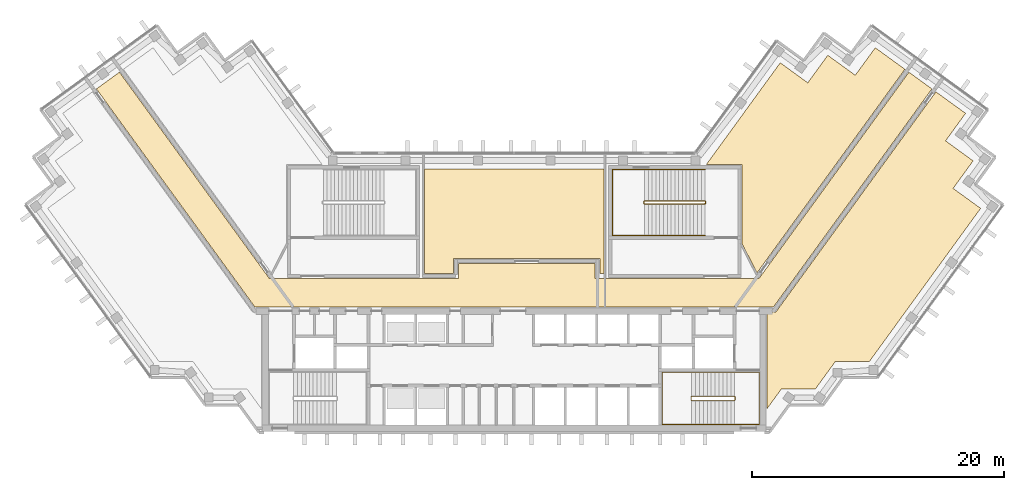
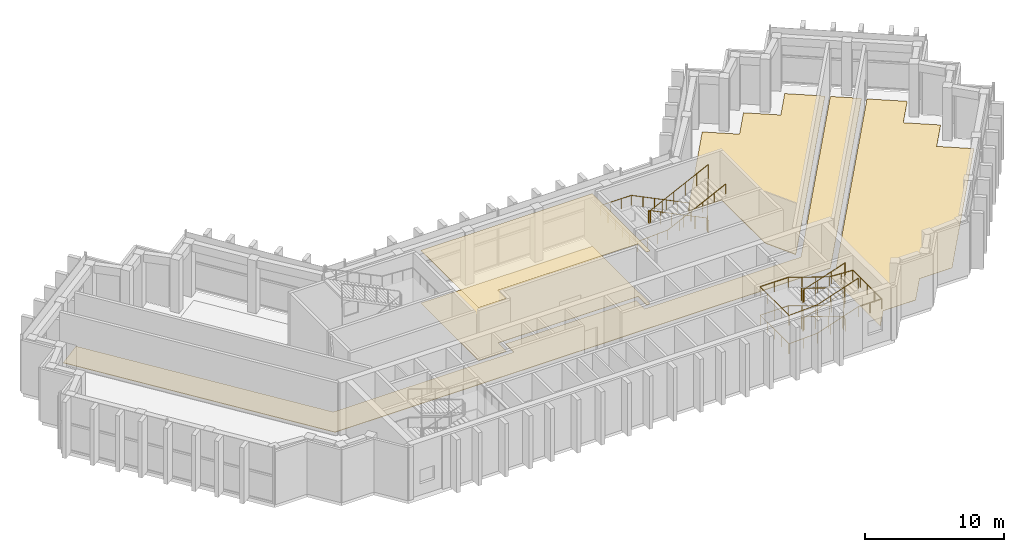
# One storey, part 13 of 14: 5 coverings, 4 railings.
"""IFC4 building model written with IfcOpenShell, lengths in metres."""

import ifcopenshell
import ifcopenshell.guid

model = None  # the IFC model being written
_history = None  # IfcOwnerHistory: only IFC2X3 demands one
_inside = {}  # id of a spatial element -> (the spatial element, [elements in it])
_under = {}  # id of a project, library or spatial element -> (it, [spatial elements below it])
_declared = {}  # id of a project -> (the project, [libraries it declares])
_typed = {}  # id of a type object -> (the type object, [elements of that type])
_made_of = {}  # id of a material, layer set ... -> (it, [elements and type objects made of it])


def new_model(schema):
    """Start an empty IFC model of exactly this schema.

    Asked for "IFC4X3", IfcOpenShell would pick the latest addendum, in which some entities
    have other attributes; the version numbers below select the first issue.
    IFC2X3 requires an IfcOwnerHistory on every rooted entity: one is made here for all.
    """
    global model, _history
    if schema == "IFC4X3":
        model = ifcopenshell.file(schema_version=(4, 3, 0, 0))
    else:
        model = ifcopenshell.file(schema=schema)
    _inside.clear()
    _under.clear()
    _declared.clear()
    _typed.clear()
    _made_of.clear()
    _history = None
    if model.schema == "IFC2X3":
        org = make("IfcOrganization", Name="unknown")
        user = make(
            "IfcPersonAndOrganization",
            ThePerson=make("IfcPerson", FamilyName="unknown"),
            TheOrganization=org,
        )
        app = make(
            "IfcApplication",
            ApplicationDeveloper=org,
            Version="unknown",
            ApplicationFullName="unknown",
            ApplicationIdentifier="unknown",
        )
        _history = make(
            "IfcOwnerHistory",
            OwningUser=user,
            OwningApplication=app,
            ChangeAction="ADDED",
            CreationDate=0,
        )
    return model


def make(cls, **values):
    """One entity of the class cls with the attributes given. An attribute that is None is left unset."""
    return model.create_entity(
        cls, **{name: value for name, value in values.items() if value is not None}
    )


def rooted(cls, **values):
    """An entity with a GlobalId (a new one), such as an element, a storey or a relation."""
    return make(cls, GlobalId=ifcopenshell.guid.new(), OwnerHistory=_history, **values)


def si_unit(unit_type, name, prefix=None):
    """IfcSIUnit, for example si_unit("LENGTHUNIT", "METRE", prefix="MILLI")."""
    return make("IfcSIUnit", UnitType=unit_type, Prefix=prefix, Name=name)


def assignment(units):
    """IfcUnitAssignment: the units of a project."""
    return None if units is None else make("IfcUnitAssignment", Units=units)


def point(xyz):
    """IfcCartesianPoint."""
    return None if xyz is None else make("IfcCartesianPoint", Coordinates=xyz)


def direction(xyz):
    """IfcDirection."""
    return None if xyz is None else make("IfcDirection", DirectionRatios=xyz)


def frame(location, z_axis=None, x_axis=None):
    """IfcAxis2Placement3D, a coordinate frame: its origin and axes. An axis left out is left unset."""
    return make(
        "IfcAxis2Placement3D",
        Location=point(location),
        Axis=direction(z_axis),
        RefDirection=direction(x_axis),
    )


def frame_2d(location, x_axis=None):
    """IfcAxis2Placement2D, a coordinate frame in the plane: its origin and x axis."""
    return make(
        "IfcAxis2Placement2D", Location=point(location), RefDirection=direction(x_axis)
    )


def origin():
    """The frame at (0, 0, 0) with its axes left unset."""
    return frame((0.0, 0.0, 0.0))


def origin_2d():
    """The frame at (0, 0) in the plane with its x axis left unset."""
    return frame_2d((0.0, 0.0))


def place(relative_to, where):
    """IfcLocalPlacement: puts the frame where relative to a parent placement (None: the world)."""
    return make(
        "IfcLocalPlacement", PlacementRelTo=relative_to, RelativePlacement=where
    )


def context(
    kind, dimensions, precision=None, world=None, true_north=None, identifier=None
):
    """IfcGeometricRepresentationContext, for example the 3D "Model" context."""
    return make(
        "IfcGeometricRepresentationContext",
        ContextIdentifier=identifier,
        ContextType=kind,
        CoordinateSpaceDimension=dimensions,
        Precision=precision,
        WorldCoordinateSystem=world,
        TrueNorth=true_north,
    )


def subcontext(parent, identifier, kind, view, scale=None):
    """IfcGeometricRepresentationSubContext, for example "Body" below "Model"."""
    return make(
        "IfcGeometricRepresentationSubContext",
        ContextIdentifier=identifier,
        ContextType=kind,
        ParentContext=parent,
        TargetScale=scale,
        TargetView=view,
    )


def project(units=None, contexts=None):
    """IfcProject with its units and contexts."""
    return rooted(
        "IfcProject",
        Name="project",
        RepresentationContexts=contexts,
        UnitsInContext=assignment(units),
    )


def spatial(cls, under=None, at=None, **own):
    """A site, building, storey or space (cls), placed at a placement, below another one or the project."""
    s = rooted(cls, ObjectPlacement=at, **own)
    if under is not None:
        _under.setdefault(under.id(), (under, []))[1].append(s)
    return s


def polyline(points):
    """IfcPolyline through the points."""
    return make("IfcPolyline", Points=[point(p) for p in points])


def profile(cls, at=None, kind="AREA", **sizes):
    """A parametric profile (cls). Its sizes go by their IFC names, for example OverallWidth=200.0."""
    return make(cls, ProfileType=kind, Position=at, **sizes)


def circle(**sizes):
    """IfcCircleProfileDef."""
    return profile("IfcCircleProfileDef", **sizes)


def outline(outer, holes=None, kind="AREA"):
    """IfcArbitraryClosedProfileDef: a profile drawn as a closed curve; with holes, ...WithVoids."""
    if holes is None:
        return make("IfcArbitraryClosedProfileDef", ProfileType=kind, OuterCurve=outer)
    return make(
        "IfcArbitraryProfileDefWithVoids",
        ProfileType=kind,
        OuterCurve=outer,
        InnerCurves=holes,
    )


def extrude(swept, where, along, depth):
    """IfcExtrudedAreaSolid: the profile swept, set in the frame where, extruded along a direction by depth."""
    return make(
        "IfcExtrudedAreaSolid",
        SweptArea=swept,
        Position=where,
        ExtrudedDirection=direction(along),
        Depth=depth,
    )


def shape(context_of_items, identifier, shape_type, items):
    """IfcShapeRepresentation: the items that make up one representation, for example the "Body"."""
    return make(
        "IfcShapeRepresentation",
        ContextOfItems=context_of_items,
        RepresentationIdentifier=identifier,
        RepresentationType=shape_type,
        Items=items,
    )


def material(Name=None, Category=None):
    """IfcMaterial."""
    return make("IfcMaterial", Name=Name, Category=Category)


def layer(
    of_material, thickness, ventilated=None, Name=None, Category=None, Priority=None
):
    """IfcMaterialLayer: one layer of a wall or slab, of a material (None: an air gap)."""
    return make(
        "IfcMaterialLayer",
        Material=of_material,
        LayerThickness=thickness,
        IsVentilated=ventilated,
        Name=Name,
        Category=Category,
        Priority=Priority,
    )


def layer_set(layers, Name=None):
    """IfcMaterialLayerSet."""
    return make("IfcMaterialLayerSet", MaterialLayers=layers, LayerSetName=Name)


def made_of(thing, what):
    """Note that an element or type object is made of a material, layer set ...; save() writes the relation."""
    if what is not None:
        _made_of.setdefault(what.id(), (what, []))[1].append(thing)
    return thing


def type_object(cls, material=None, **own):
    """A type object (cls), such as IfcWallType, which elements share."""
    return made_of(rooted(cls, **own), material)


def element(
    cls,
    number,
    at=None,
    inside=None,
    cuts=None,
    type_object=None,
    material=None,
    context=None,
    identifier="Body",
    shape_type=None,
    held_by="IfcProductDefinitionShape",
    body=None,
    shapes=None,
    **own,
):
    """One element of the class cls, such as IfcWall. Its Tag is "e" and its number.

    at: its placement. inside: the storey or other place that contains it. cuts: it is an
    opening in that element (IfcRelVoidsElement). A single representation is given by context,
    identifier, shape_type and body (its items); several are given by shapes. held_by: the class
    of the entity that holds the representations. save() writes the other relations.
    """
    e = rooted(cls, Tag="e%d" % number, ObjectPlacement=at, **own)
    if body is not None:
        shapes = [shape(context, identifier, shape_type, body)]
    if shapes is not None:
        e.Representation = make(held_by, Representations=shapes)
    if inside is not None:
        _inside.setdefault(inside.id(), (inside, []))[1].append(e)
    if cuts is not None:
        rooted(
            "IfcRelVoidsElement", RelatingBuildingElement=cuts, RelatedOpeningElement=e
        )
    if type_object is not None:
        _typed.setdefault(type_object.id(), (type_object, []))[1].append(e)
    return made_of(e, material)


def aggregate(whole, parts):
    """IfcRelAggregates: a whole, such as a stair, and the parts it consists of."""
    return rooted("IfcRelAggregates", RelatingObject=whole, RelatedObjects=parts)


def save(model, path):
    """Write the relations noted so far, then the file.

    IfcRelAggregates (storeys below a building ...), IfcRelContainedInSpatialStructure (elements
    in a storey), IfcRelDefinesByType, IfcRelAssociatesMaterial and IfcRelDeclares: one each for
    every whole, place, type object, material and project.
    """
    for whole, parts in _under.values():
        aggregate(whole, parts)
    for where, things in _inside.values():
        rooted(
            "IfcRelContainedInSpatialStructure",
            RelatedElements=things,
            RelatingStructure=where,
        )
    for kind, things in _typed.values():
        rooted("IfcRelDefinesByType", RelatedObjects=things, RelatingType=kind)
    for what, things in _made_of.values():
        rooted("IfcRelAssociatesMaterial", RelatedObjects=things, RelatingMaterial=what)
    for by, libraries in _declared.values():
        rooted("IfcRelDeclares", RelatingContext=by, RelatedDefinitions=libraries)
    model.write(path)


model = new_model("IFC4")

# Units and contexts
model_context = context("Model", 3, precision=1e-05, world=origin(), true_north=direction((0.0, 1.0)))
body_context = subcontext(model_context, "Body", "Model", "MODEL_VIEW")
ifc_project = project(units=[si_unit("LENGTHUNIT", "METRE"), si_unit("AREAUNIT", "SQUARE_METRE"), si_unit("VOLUMEUNIT", "CUBIC_METRE"), si_unit("PLANEANGLEUNIT", "RADIAN"), si_unit("MASSUNIT", "GRAM", prefix="KILO")], contexts=[model_context])

# Site, building, storey
site_placement = place(None, origin())
site = spatial("IfcSite", under=ifc_project, at=site_placement, CompositionType="ELEMENT")
building_placement = place(site_placement, origin())
building = spatial("IfcBuilding", under=site, at=building_placement, Name="Quipu Civic Tower", CompositionType="ELEMENT")
storey_placement = place(building_placement, frame((0.0, 0.0, 248.0)))
storey = spatial("IfcBuildingStorey", under=building, at=storey_placement, Name="L58", CompositionType="ELEMENT", Elevation=248.0)

# Coverings
ifc_material_1 = material(Name="Carpet tile on raised access floor")
ifc_layer_1 = layer(ifc_material_1, 0.02001953125)
ifc_layer_set_1 = layer_set([ifc_layer_1], Name="Carpet tile on raised access floor")
covering_type_1 = type_object("IfcCoveringType", Name="Carpet tile floor finish 20", PredefinedType="FLOORING", material=ifc_layer_set_1)
covering_1_placement = place(storey_placement, origin())
element("IfcCovering", 1, at=covering_1_placement, inside=storey, type_object=covering_type_1, Name="Carpet tile floor finish 20", PredefinedType="FLOORING", context=body_context, shape_type="SweptSolid", body=[
    extrude(outline(polyline([(20.070068359375, -9.195068359375), (20.070068359375, -1.52001953125), (20.77490234375, -1.51904296875), (33.472900390625, 15.9580078125), (35.826904296875, 14.248046875), (34.240966796875, 12.06396484375), (36.425048828125, 10.47607421875), (34.839111328125, 8.291015625), (37.02197265625, 6.7060546875), (28.181884765625, -5.4609375), (25.48193359375, -5.4619140625), (23.89501953125, -7.64599609375), (21.196044921875, -7.64599609375), (20.070068359375, -9.195068359375)])), origin(), (0.0, 0.0, 1.0), 0.02001953125),
])
covering_2_placement = place(storey_placement, origin())
element("IfcCovering", 2, at=covering_2_placement, inside=storey, type_object=covering_type_1, Name="Carpet tile floor finish 20", PredefinedType="FLOORING", context=body_context, shape_type="SweptSolid", body=[
    extrude(outline(polyline([(-7.1279296875, 1.52001953125), (-7.1279296875, 9.830078125), (7.1279296875, 9.830078125), (7.1279296875, 1.52001953125), (6.820068359375, 1.52001953125), (6.818115234375, 2.719970703125), (-4.818115234375, 2.719970703125), (-4.820068359375, 1.52001953125), (-7.1279296875, 1.52001953125)])), origin(), (0.0, 0.0, 1.0), 0.02001953125),
])
ifc_material_2 = material(Name="Gypsum plasterboard ceiling")
ifc_layer_2 = layer(ifc_material_2, 0.014892578125)
ifc_layer_set_2 = layer_set([ifc_layer_2], Name="Gypsum plasterboard ceiling")
covering_type_2 = type_object("IfcCoveringType", Name="Plasterboard ceiling 15", PredefinedType="CEILING", material=ifc_layer_set_2)
covering_3_placement = place(storey_placement, frame((0.0, 0.0, 4.635009765625)))
element("IfcCovering", 3, at=covering_3_placement, inside=storey, type_object=covering_type_2, Name="Plasterboard ceiling 15", PredefinedType="CEILING", context=body_context, shape_type="SweptSolid", body=[
    extrude(outline(polyline([(-7.1279296875, 1.52001953125), (-7.1279296875, 9.830078125), (7.1279296875, 9.830078125), (7.1279296875, 1.52001953125), (6.820068359375, 1.52001953125), (6.818115234375, 2.719970703125), (-4.818115234375, 2.719970703125), (-4.820068359375, 1.52001953125), (-7.1279296875, 1.52001953125)])), origin(), (0.0, 0.0, 1.0), 0.014892578125),
])
ifc_material_3 = material(Name="Sealed cement screed")
ifc_layer_3 = layer(ifc_material_3, 0.050048828125)
ifc_layer_set_3 = layer_set([ifc_layer_3], Name="Sealed cement screed")
covering_type_3 = type_object("IfcCoveringType", Name="Sealed screed floor finish 50", PredefinedType="FLOORING", material=ifc_layer_set_3)
covering_4_placement = place(storey_placement, origin())
element("IfcCovering", 4, at=covering_4_placement, inside=storey, type_object=covering_type_3, Name="Sealed screed floor finish 50", PredefinedType="FLOORING", context=body_context, shape_type="SweptSolid", body=[
    extrude(outline(polyline([(15.238037109375, 10.169921875), (21.116943359375, 18.260986328125), (23.301025390625, 16.675048828125), (24.887939453125, 18.85791015625), (27.073974609375, 17.27197265625), (28.658935546875, 19.455078125), (31.013916015625, 17.7451171875), (19.27197265625, 1.583984375), (18.070068359375, 3.94189453125), (18.070068359375, 10.1689453125), (15.238037109375, 10.169921875)])), origin(), (0.0, 0.0, 1.0), 0.050048828125),
])

# Railings
ifc_material_4 = material(Name="Stainless steel", Category="steel")
railing_type_1 = type_object("IfcRailingType", Name="Stair guard 1100", PredefinedType="GUARDRAIL", material=ifc_material_4)
railing_1_placement = place(storey_placement, frame((17.5, -8.199951171875, 0.104248046875)))
element("IfcRailing", 5, at=railing_1_placement, inside=storey, type_object=railing_type_1, Name="Stair 2 guard", PredefinedType="GUARDRAIL", context=body_context, shape_type="SweptSolid", body=[
    extrude(circle(Radius=0.02392578125, at=origin_2d()), frame((0.0, 0.0, 1.076171875), z_axis=(-0.947920429252, 0.0, 0.318507236663), x_axis=(0.0, -1.0, 0.0)), (0.0, 0.0, 1.0), 3.59716796875),
    extrude(circle(Radius=0.02392578125, at=origin_2d()), frame((-3.409912109375, 0.0, 2.2216796875), z_axis=(-0.707106781187, -0.707106781187, 0.0), x_axis=(0.707106781187, -0.707106781187, 0.0)), (0.0, 0.0, 1.0), 0.07080078125),
    extrude(circle(Radius=0.02392578125, at=origin_2d()), frame((-3.4599609375, -0.050048828125, 2.2216796875), z_axis=(0.0, -1.0, 0.0), x_axis=(1.0, 0.0, 0.0)), (0.0, 0.0, 1.0), 0.25),
    extrude(circle(Radius=0.02392578125, at=origin_2d()), frame((-3.4599609375, -0.300048828125, 2.2216796875), z_axis=(0.397195087895, -0.397195087895, 0.82732830503), x_axis=(0.707106781187, 0.707106781187, 0.0)), (0.0, 0.0, 1.0), 0.1259765625),
    extrude(circle(Radius=0.02392578125, at=origin_2d()), frame((-3.409912109375, -0.35009765625, 2.326171875), z_axis=(0.947920429252, 0.0, 0.318507236663), x_axis=(0.0, 1.0, 0.0)), (0.0, 0.0, 1.0), 3.59716796875),
    extrude(circle(Radius=0.02392578125, at=origin_2d()), frame((0.0, -0.35009765625, 3.4716796875), z_axis=(0.164529134168, 0.986372223864, 0.0), x_axis=(-0.986372223864, 0.164529134168, 0.0)), (0.0, 0.0, 1.0), 0.30419921875),
    extrude(circle(Radius=0.02392578125, at=origin_2d()), frame((0.050048828125, -0.050048828125, 3.4716796875), z_axis=(0.0, -1.0, 0.0), x_axis=(1.0, 0.0, 0.0)), (0.0, 0.0, 1.0), 0.25),
    extrude(circle(Radius=0.02392578125, at=origin_2d()), frame((0.050048828125, -0.300048828125, 3.4716796875), z_axis=(-0.155643067013, 0.933099167607, 0.324193120072), x_axis=(-0.986372223864, -0.164529134168, 0.0)), (0.0, 0.0, 1.0), 0.321533203125),
    extrude(circle(Radius=0.02392578125, at=origin_2d()), frame((0.0, 0.0, 3.576171875), z_axis=(-0.947920429252, 0.0, 0.318507236663), x_axis=(0.0, -1.0, 0.0)), (0.0, 0.0, 1.0), 3.59716796875),
    extrude(circle(Radius=0.02392578125, at=origin_2d()), frame((-3.409912109375, 0.0, 4.7216796875), z_axis=(-0.707106781187, -0.707106781187, 0.0), x_axis=(0.707106781187, -0.707106781187, 0.0)), (0.0, 0.0, 1.0), 0.07080078125),
    extrude(circle(Radius=0.02392578125, at=origin_2d()), frame((-3.4599609375, -0.050048828125, 4.7216796875), z_axis=(0.0, -1.0, 0.0), x_axis=(1.0, 0.0, 0.0)), (0.0, 0.0, 1.0), 0.25),
    extrude(circle(Radius=0.02392578125, at=origin_2d()), frame((-3.4599609375, -0.300048828125, 4.7216796875), z_axis=(0.397195087895, -0.397195087895, 0.82732830503), x_axis=(0.707106781187, 0.707106781187, 0.0)), (0.0, 0.0, 1.0), 0.1259765625),
    extrude(circle(Radius=0.02392578125, at=origin_2d()), frame((-3.409912109375, -0.35009765625, 4.826171875), z_axis=(0.947920429252, 0.0, 0.318507236663), x_axis=(0.0, 1.0, 0.0)), (0.0, 0.0, 1.0), 3.59716796875),
    extrude(circle(Radius=0.02392578125, at=origin_2d()), frame((0.0, -0.35009765625, 5.9716796875), z_axis=(0.009991291983, 0.059899013886, -0.998154438061), x_axis=(-0.986372223864, 0.164529134168, 0.0)), (0.0, 0.0, 1.0), 5.00927734375),
    extrude(circle(Radius=0.02392578125, at=origin_2d()), frame((0.050048828125, -0.050048828125, 0.9716796875), z_axis=(0.0, -1.0, 0.0), x_axis=(1.0, 0.0, 0.0)), (0.0, 0.0, 1.0), 0.25),
    extrude(circle(Radius=0.02099609375, at=origin_2d()), origin(), (0.0, 0.0, 1.0), 1.052001953125),
    extrude(circle(Radius=0.02099609375, at=origin_2d()), frame((-1.13671875, 0.0, 0.3818359375)), (0.0, 0.0, 1.0), 1.052001953125),
    extrude(circle(Radius=0.02099609375, at=origin_2d()), frame((-2.273193359375, 0.0, 0.763916015625)), (0.0, 0.0, 1.0), 1.052001953125),
    extrude(circle(Radius=0.02099609375, at=origin_2d()), frame((-3.409912109375, 0.0, 1.145751953125)), (0.0, 0.0, 1.0), 1.052001953125),
    extrude(circle(Radius=0.02099609375, at=origin_2d()), frame((-3.4599609375, -0.050048828125, 1.145751953125)), (0.0, 0.0, 1.0), 1.052001953125),
    extrude(circle(Radius=0.02099609375, at=origin_2d()), frame((-3.4599609375, -0.300048828125, 1.145751953125)), (0.0, 0.0, 1.0), 1.052001953125),
    extrude(circle(Radius=0.02099609375, at=origin_2d()), frame((-3.409912109375, -0.35009765625, 1.25)), (0.0, 0.0, 1.0), 1.052001953125),
    extrude(circle(Radius=0.02099609375, at=origin_2d()), frame((-2.273193359375, -0.35009765625, 1.6318359375)), (0.0, 0.0, 1.0), 1.052001953125),
    extrude(circle(Radius=0.02099609375, at=origin_2d()), frame((-1.13671875, -0.35009765625, 2.013916015625)), (0.0, 0.0, 1.0), 1.052001953125),
    extrude(circle(Radius=0.02099609375, at=origin_2d()), frame((0.0, -0.35009765625, 2.395751953125)), (0.0, 0.0, 1.0), 1.052001953125),
    extrude(circle(Radius=0.02099609375, at=origin_2d()), frame((0.050048828125, -0.050048828125, 2.395751953125)), (0.0, 0.0, 1.0), 1.052001953125),
    extrude(circle(Radius=0.02099609375, at=origin_2d()), frame((0.050048828125, -0.300048828125, 2.395751953125)), (0.0, 0.0, 1.0), 1.052001953125),
    extrude(circle(Radius=0.02099609375, at=origin_2d()), frame((0.0, 0.0, 2.5)), (0.0, 0.0, 1.0), 1.052001953125),
    extrude(circle(Radius=0.02099609375, at=origin_2d()), frame((-1.13671875, 0.0, 2.8818359375)), (0.0, 0.0, 1.0), 1.052001953125),
    extrude(circle(Radius=0.02099609375, at=origin_2d()), frame((-2.273193359375, 0.0, 3.263916015625)), (0.0, 0.0, 1.0), 1.052001953125),
    extrude(circle(Radius=0.02099609375, at=origin_2d()), frame((-3.409912109375, 0.0, 3.645751953125)), (0.0, 0.0, 1.0), 1.052001953125),
    extrude(circle(Radius=0.02099609375, at=origin_2d()), frame((-3.4599609375, -0.050048828125, 3.645751953125)), (0.0, 0.0, 1.0), 1.052001953125),
    extrude(circle(Radius=0.02099609375, at=origin_2d()), frame((-3.4599609375, -0.300048828125, 3.645751953125)), (0.0, 0.0, 1.0), 1.052001953125),
    extrude(circle(Radius=0.02099609375, at=origin_2d()), frame((-3.409912109375, -0.35009765625, 3.75)), (0.0, 0.0, 1.0), 1.052001953125),
    extrude(circle(Radius=0.02099609375, at=origin_2d()), frame((-2.273193359375, -0.35009765625, 4.1318359375)), (0.0, 0.0, 1.0), 1.052001953125),
    extrude(circle(Radius=0.02099609375, at=origin_2d()), frame((-1.13671875, -0.35009765625, 4.513916015625)), (0.0, 0.0, 1.0), 1.052001953125),
    extrude(circle(Radius=0.02099609375, at=origin_2d()), frame((0.0, -0.35009765625, 4.895751953125)), (0.0, 0.0, 1.0), 1.052001953125),
    extrude(circle(Radius=0.02099609375, at=origin_2d()), frame((0.010009765625, -0.2900390625, 3.895751953125)), (0.0, 0.0, 1.0), 1.052001953125),
    extrude(circle(Radius=0.02099609375, at=origin_2d()), frame((0.02001953125, -0.22998046875, 2.895751953125)), (0.0, 0.0, 1.0), 1.052001953125),
    extrude(circle(Radius=0.02099609375, at=origin_2d()), frame((0.030029296875, -0.170166015625, 1.895751953125)), (0.0, 0.0, 1.0), 1.052001953125),
    extrude(circle(Radius=0.02099609375, at=origin_2d()), frame((0.0400390625, -0.110107421875, 0.895751953125)), (0.0, 0.0, 1.0), 1.052001953125),
    extrude(circle(Radius=0.02099609375, at=origin_2d()), frame((0.050048828125, -0.050048828125, -0.104248046875)), (0.0, 0.0, 1.0), 1.052001953125),
    extrude(circle(Radius=0.02099609375, at=origin_2d()), frame((0.050048828125, -0.300048828125, -0.104248046875)), (0.0, 0.0, 1.0), 1.052001953125),
])
railing_2_placement = place(storey_placement, frame((15.14990234375, 7.300048828125, 0.14697265625)))
element("IfcRailing", 6, at=railing_2_placement, inside=storey, type_object=railing_type_1, Name="Stair 4 guard", PredefinedType="GUARDRAIL", context=body_context, shape_type="SweptSolid", body=[
    extrude(circle(Radius=0.02392578125, at=origin_2d()), frame((0.0, 0.0, 1.076171875), z_axis=(-0.897907272774, 0.0, 0.440184653866), x_axis=(0.0, -1.0, 0.0)), (0.0, 0.0, 1.0), 5.345458984375),
    extrude(circle(Radius=0.02392578125, at=origin_2d()), frame((-4.7998046875, 0.0, 3.42919921875), z_axis=(-0.707106781187, -0.707106781187, 0.0), x_axis=(0.707106781187, -0.707106781187, 0.0)), (0.0, 0.0, 1.0), 0.07080078125),
    extrude(circle(Radius=0.02392578125, at=origin_2d()), frame((-4.849853515625, -0.050048828125, 3.42919921875), z_axis=(0.0, -1.0, 0.0), x_axis=(1.0, 0.0, 0.0)), (0.0, 0.0, 1.0), 0.14990234375),
    extrude(circle(Radius=0.02392578125, at=origin_2d()), frame((-4.849853515625, -0.199951171875, 3.42919921875), z_axis=(0.306807167972, -0.306807167972, 0.900965439605), x_axis=(0.707106781187, 0.707106781187, 0.0)), (0.0, 0.0, 1.0), 0.1630859375),
    extrude(circle(Radius=0.02392578125, at=origin_2d()), frame((-4.7998046875, -0.25, 3.576171875), z_axis=(0.897907272774, 0.0, 0.440184653866), x_axis=(0.0, 1.0, 0.0)), (0.0, 0.0, 1.0), 5.345458984375),
    extrude(circle(Radius=0.02392578125, at=origin_2d()), frame((0.0, -0.25, 5.92919921875), z_axis=(0.010001271081, 0.039956297636, -0.999151374345), x_axis=(-0.970072785993, 0.242814311512, 0.0)), (0.0, 0.0, 1.0), 5.004150390625),
    extrude(circle(Radius=0.02392578125, at=origin_2d()), frame((0.050048828125, -0.050048828125, 0.92919921875), z_axis=(0.0, -1.0, 0.0), x_axis=(1.0, 0.0, 0.0)), (0.0, 0.0, 1.0), 0.14990234375),
    extrude(circle(Radius=0.02099609375, at=origin_2d()), origin(), (0.0, 0.0, 1.0), 1.052001953125),
    extrude(circle(Radius=0.02099609375, at=origin_2d()), frame((-0.9599609375, 0.0, 0.470703125)), (0.0, 0.0, 1.0), 1.052001953125),
    extrude(circle(Radius=0.02099609375, at=origin_2d()), frame((-1.919921875, 0.0, 0.941162109375)), (0.0, 0.0, 1.0), 1.052001953125),
    extrude(circle(Radius=0.02099609375, at=origin_2d()), frame((-2.8798828125, 0.0, 1.411865234375)), (0.0, 0.0, 1.0), 1.052001953125),
    extrude(circle(Radius=0.02099609375, at=origin_2d()), frame((-3.83984375, 0.0, 1.88232421875)), (0.0, 0.0, 1.0), 1.052001953125),
    extrude(circle(Radius=0.02099609375, at=origin_2d()), frame((-4.7998046875, 0.0, 2.35302734375)), (0.0, 0.0, 1.0), 1.052001953125),
    extrude(circle(Radius=0.02099609375, at=origin_2d()), frame((-4.849853515625, -0.050048828125, 2.35302734375)), (0.0, 0.0, 1.0), 1.052001953125),
    extrude(circle(Radius=0.02099609375, at=origin_2d()), frame((-4.849853515625, -0.199951171875, 2.35302734375)), (0.0, 0.0, 1.0), 1.052001953125),
    extrude(circle(Radius=0.02099609375, at=origin_2d()), frame((-4.7998046875, -0.25, 2.5)), (0.0, 0.0, 1.0), 1.052001953125),
    extrude(circle(Radius=0.02099609375, at=origin_2d()), frame((-3.83984375, -0.25, 2.970703125)), (0.0, 0.0, 1.0), 1.052001953125),
    extrude(circle(Radius=0.02099609375, at=origin_2d()), frame((-2.8798828125, -0.25, 3.441162109375)), (0.0, 0.0, 1.0), 1.052001953125),
    extrude(circle(Radius=0.02099609375, at=origin_2d()), frame((-1.919921875, -0.25, 3.911865234375)), (0.0, 0.0, 1.0), 1.052001953125),
    extrude(circle(Radius=0.02099609375, at=origin_2d()), frame((-0.9599609375, -0.25, 4.38232421875)), (0.0, 0.0, 1.0), 1.052001953125),
    extrude(circle(Radius=0.02099609375, at=origin_2d()), frame((0.0, -0.25, 4.85302734375)), (0.0, 0.0, 1.0), 1.052001953125),
    extrude(circle(Radius=0.02099609375, at=origin_2d()), frame((0.010009765625, -0.2099609375, 3.85302734375)), (0.0, 0.0, 1.0), 1.052001953125),
    extrude(circle(Radius=0.02099609375, at=origin_2d()), frame((0.02001953125, -0.169921875, 2.85302734375)), (0.0, 0.0, 1.0), 1.052001953125),
    extrude(circle(Radius=0.02099609375, at=origin_2d()), frame((0.030029296875, -0.130126953125, 1.85302734375)), (0.0, 0.0, 1.0), 1.052001953125),
    extrude(circle(Radius=0.02099609375, at=origin_2d()), frame((0.0400390625, -0.090087890625, 0.85302734375)), (0.0, 0.0, 1.0), 1.052001953125),
    extrude(circle(Radius=0.02099609375, at=origin_2d()), frame((0.050048828125, -0.050048828125, -0.14697265625)), (0.0, 0.0, 1.0), 1.052001953125),
    extrude(circle(Radius=0.02099609375, at=origin_2d()), frame((0.050048828125, -0.199951171875, -0.14697265625)), (0.0, 0.0, 1.0), 1.052001953125),
])
ifc_material_5 = material(Name="Stainless steel", Category="steel")
railing_type_2 = type_object("IfcRailingType", Name="Stair handrail", PredefinedType="HANDRAIL", material=ifc_material_5)
railing_3_placement = place(storey_placement, frame((17.5, -6.300048828125, 0.104248046875)))
element("IfcRailing", 7, at=railing_3_placement, inside=storey, type_object=railing_type_2, Name="Stair 2 handrail", PredefinedType="HANDRAIL", context=body_context, shape_type="SweptSolid", body=[
    extrude(circle(Radius=0.02392578125, at=origin_2d()), frame((0.0, 0.0, 0.8759765625), z_axis=(-0.947920429252, 0.0, 0.318507236663), x_axis=(0.0, -1.0, 0.0)), (0.0, 0.0, 1.0), 3.59716796875),
    extrude(circle(Radius=0.02392578125, at=origin_2d()), frame((-3.409912109375, 0.0, 2.021484375), z_axis=(-1.0, 0.0, 0.0), x_axis=(0.0, -1.0, 0.0)), (0.0, 0.0, 1.0), 2.340087890625),
    extrude(circle(Radius=0.02392578125, at=origin_2d()), frame((-5.75, 0.0, 2.021484375), z_axis=(0.0, -1.0, 0.0), x_axis=(1.0, 0.0, 0.0)), (0.0, 0.0, 1.0), 4.14990234375),
    extrude(circle(Radius=0.02392578125, at=origin_2d()), frame((-5.75, -4.14990234375, 2.021484375), z_axis=(0.999009177902, 0.0, 0.044504634216), x_axis=(0.0, 1.0, 0.0)), (0.0, 0.0, 1.0), 2.342529296875),
    extrude(circle(Radius=0.02392578125, at=origin_2d()), frame((-3.409912109375, -4.14990234375, 2.1259765625), z_axis=(0.947920429252, 0.0, 0.318507236663), x_axis=(0.0, 1.0, 0.0)), (0.0, 0.0, 1.0), 3.59716796875),
    extrude(circle(Radius=0.02392578125, at=origin_2d()), frame((0.0, -4.14990234375, 3.271484375), z_axis=(1.0, 0.0, 0.0), x_axis=(0.0, 1.0, 0.0)), (0.0, 0.0, 1.0), 1.949951171875),
    extrude(circle(Radius=0.02392578125, at=origin_2d()), frame((1.949951171875, -4.14990234375, 3.271484375), z_axis=(0.0, 1.0, 0.0), x_axis=(-1.0, 0.0, 0.0)), (0.0, 0.0, 1.0), 4.14990234375),
    extrude(circle(Radius=0.02392578125, at=origin_2d()), frame((1.949951171875, 0.0, 3.271484375), z_axis=(-0.998573970084, 0.0, 0.053385637314), x_axis=(0.0, -1.0, 0.0)), (0.0, 0.0, 1.0), 1.95263671875),
    extrude(circle(Radius=0.02392578125, at=origin_2d()), frame((0.0, 0.0, 3.3759765625), z_axis=(-0.947920429252, 0.0, 0.318507236663), x_axis=(0.0, -1.0, 0.0)), (0.0, 0.0, 1.0), 3.59716796875),
    extrude(circle(Radius=0.02392578125, at=origin_2d()), frame((-3.409912109375, 0.0, 4.521484375), z_axis=(-1.0, 0.0, 0.0), x_axis=(0.0, -1.0, 0.0)), (0.0, 0.0, 1.0), 2.340087890625),
    extrude(circle(Radius=0.02392578125, at=origin_2d()), frame((-5.75, 0.0, 4.521484375), z_axis=(0.0, -1.0, 0.0), x_axis=(1.0, 0.0, 0.0)), (0.0, 0.0, 1.0), 4.14990234375),
    extrude(circle(Radius=0.02392578125, at=origin_2d()), frame((-5.75, -4.14990234375, 4.521484375), z_axis=(0.999009177902, 0.0, 0.044504634216), x_axis=(0.0, 1.0, 0.0)), (0.0, 0.0, 1.0), 2.342529296875),
    extrude(circle(Radius=0.02392578125, at=origin_2d()), frame((-3.409912109375, -4.14990234375, 4.6259765625), z_axis=(0.947920429252, 0.0, 0.318507236663), x_axis=(0.0, 1.0, 0.0)), (0.0, 0.0, 1.0), 3.59716796875),
    extrude(circle(Radius=0.02099609375, at=origin_2d()), origin(), (0.0, 0.0, 1.0), 0.851806640625),
    extrude(circle(Radius=0.02099609375, at=origin_2d()), frame((-1.13671875, 0.0, 0.3818359375)), (0.0, 0.0, 1.0), 0.851806640625),
    extrude(circle(Radius=0.02099609375, at=origin_2d()), frame((-2.273193359375, 0.0, 0.763916015625)), (0.0, 0.0, 1.0), 0.851806640625),
    extrude(circle(Radius=0.02099609375, at=origin_2d()), frame((-3.409912109375, 0.0, 1.145751953125)), (0.0, 0.0, 1.0), 0.851806640625),
    extrude(circle(Radius=0.02099609375, at=origin_2d()), frame((-4.580078125, 0.0, 1.145751953125)), (0.0, 0.0, 1.0), 0.851806640625),
    extrude(circle(Radius=0.02099609375, at=origin_2d()), frame((-5.75, 0.0, 1.145751953125)), (0.0, 0.0, 1.0), 0.851806640625),
    extrude(circle(Radius=0.02099609375, at=origin_2d()), frame((-5.75, -1.03759765625, 1.145751953125)), (0.0, 0.0, 1.0), 0.851806640625),
    extrude(circle(Radius=0.02099609375, at=origin_2d()), frame((-5.75, -2.074951171875, 1.145751953125)), (0.0, 0.0, 1.0), 0.851806640625),
    extrude(circle(Radius=0.02099609375, at=origin_2d()), frame((-5.75, -3.1123046875, 1.145751953125)), (0.0, 0.0, 1.0), 0.851806640625),
    extrude(circle(Radius=0.02099609375, at=origin_2d()), frame((-5.75, -4.14990234375, 1.145751953125)), (0.0, 0.0, 1.0), 0.851806640625),
    extrude(circle(Radius=0.02099609375, at=origin_2d()), frame((-4.580078125, -4.14990234375, 1.19775390625)), (0.0, 0.0, 1.0), 0.851806640625),
    extrude(circle(Radius=0.02099609375, at=origin_2d()), frame((-3.409912109375, -4.14990234375, 1.25)), (0.0, 0.0, 1.0), 0.851806640625),
    extrude(circle(Radius=0.02099609375, at=origin_2d()), frame((-2.273193359375, -4.14990234375, 1.6318359375)), (0.0, 0.0, 1.0), 0.851806640625),
    extrude(circle(Radius=0.02099609375, at=origin_2d()), frame((-1.13671875, -4.14990234375, 2.013916015625)), (0.0, 0.0, 1.0), 0.851806640625),
    extrude(circle(Radius=0.02099609375, at=origin_2d()), frame((0.0, -4.14990234375, 2.395751953125)), (0.0, 0.0, 1.0), 0.851806640625),
    extrude(circle(Radius=0.02099609375, at=origin_2d()), frame((0.97509765625, -4.14990234375, 2.395751953125)), (0.0, 0.0, 1.0), 0.851806640625),
    extrude(circle(Radius=0.02099609375, at=origin_2d()), frame((1.949951171875, -4.14990234375, 2.395751953125)), (0.0, 0.0, 1.0), 0.851806640625),
    extrude(circle(Radius=0.02099609375, at=origin_2d()), frame((1.949951171875, -3.1123046875, 2.395751953125)), (0.0, 0.0, 1.0), 0.851806640625),
    extrude(circle(Radius=0.02099609375, at=origin_2d()), frame((1.949951171875, -2.074951171875, 2.395751953125)), (0.0, 0.0, 1.0), 0.851806640625),
    extrude(circle(Radius=0.02099609375, at=origin_2d()), frame((1.949951171875, -1.03759765625, 2.395751953125)), (0.0, 0.0, 1.0), 0.851806640625),
    extrude(circle(Radius=0.02099609375, at=origin_2d()), frame((1.949951171875, 0.0, 2.395751953125)), (0.0, 0.0, 1.0), 0.851806640625),
    extrude(circle(Radius=0.02099609375, at=origin_2d()), frame((0.97509765625, 0.0, 2.44775390625)), (0.0, 0.0, 1.0), 0.851806640625),
    extrude(circle(Radius=0.02099609375, at=origin_2d()), frame((0.0, 0.0, 2.5)), (0.0, 0.0, 1.0), 0.851806640625),
    extrude(circle(Radius=0.02099609375, at=origin_2d()), frame((-1.13671875, 0.0, 2.8818359375)), (0.0, 0.0, 1.0), 0.851806640625),
    extrude(circle(Radius=0.02099609375, at=origin_2d()), frame((-2.273193359375, 0.0, 3.263916015625)), (0.0, 0.0, 1.0), 0.851806640625),
    extrude(circle(Radius=0.02099609375, at=origin_2d()), frame((-3.409912109375, 0.0, 3.645751953125)), (0.0, 0.0, 1.0), 0.851806640625),
    extrude(circle(Radius=0.02099609375, at=origin_2d()), frame((-4.580078125, 0.0, 3.645751953125)), (0.0, 0.0, 1.0), 0.851806640625),
    extrude(circle(Radius=0.02099609375, at=origin_2d()), frame((-5.75, 0.0, 3.645751953125)), (0.0, 0.0, 1.0), 0.851806640625),
    extrude(circle(Radius=0.02099609375, at=origin_2d()), frame((-5.75, -1.03759765625, 3.645751953125)), (0.0, 0.0, 1.0), 0.851806640625),
    extrude(circle(Radius=0.02099609375, at=origin_2d()), frame((-5.75, -2.074951171875, 3.645751953125)), (0.0, 0.0, 1.0), 0.851806640625),
    extrude(circle(Radius=0.02099609375, at=origin_2d()), frame((-5.75, -3.1123046875, 3.645751953125)), (0.0, 0.0, 1.0), 0.851806640625),
    extrude(circle(Radius=0.02099609375, at=origin_2d()), frame((-5.75, -4.14990234375, 3.645751953125)), (0.0, 0.0, 1.0), 0.851806640625),
    extrude(circle(Radius=0.02099609375, at=origin_2d()), frame((-4.580078125, -4.14990234375, 3.69775390625)), (0.0, 0.0, 1.0), 0.851806640625),
    extrude(circle(Radius=0.02099609375, at=origin_2d()), frame((-3.409912109375, -4.14990234375, 3.75)), (0.0, 0.0, 1.0), 0.851806640625),
    extrude(circle(Radius=0.02099609375, at=origin_2d()), frame((-2.273193359375, -4.14990234375, 4.1318359375)), (0.0, 0.0, 1.0), 0.851806640625),
    extrude(circle(Radius=0.02099609375, at=origin_2d()), frame((-1.13671875, -4.14990234375, 4.513916015625)), (0.0, 0.0, 1.0), 0.851806640625),
    extrude(circle(Radius=0.02099609375, at=origin_2d()), frame((0.0, -4.14990234375, 4.895751953125)), (0.0, 0.0, 1.0), 0.851806640625),
])
railing_4_placement = place(storey_placement, frame((15.14990234375, 9.800048828125, 0.14697265625)))
element("IfcRailing", 8, at=railing_4_placement, inside=storey, type_object=railing_type_2, Name="Stair 4 handrail", PredefinedType="HANDRAIL", context=body_context, shape_type="SweptSolid", body=[
    extrude(circle(Radius=0.02392578125, at=origin_2d()), frame((0.0, 0.0, 0.8759765625), z_axis=(-0.897907272774, 0.0, 0.440184653866), x_axis=(0.0, -1.0, 0.0)), (0.0, 0.0, 1.0), 5.345458984375),
    extrude(circle(Radius=0.02392578125, at=origin_2d()), frame((-4.7998046875, 0.0, 3.22900390625), z_axis=(-1.0, 0.0, 0.0), x_axis=(0.0, -1.0, 0.0)), (0.0, 0.0, 1.0), 2.550048828125),
    extrude(circle(Radius=0.02392578125, at=origin_2d()), frame((-7.349853515625, 0.0, 3.22900390625), z_axis=(0.0, -1.0, 0.0), x_axis=(1.0, 0.0, 0.0)), (0.0, 0.0, 1.0), 5.25),
    extrude(circle(Radius=0.02392578125, at=origin_2d()), frame((-7.349853515625, -5.25, 3.22900390625), z_axis=(0.998343216518, 0.0, 0.057539743068), x_axis=(0.0, 1.0, 0.0)), (0.0, 0.0, 1.0), 2.55419921875),
    extrude(circle(Radius=0.02392578125, at=origin_2d()), frame((-4.7998046875, -5.25, 3.3759765625), z_axis=(0.897907272774, 0.0, 0.440184653866), x_axis=(0.0, 1.0, 0.0)), (0.0, 0.0, 1.0), 5.345458984375),
    extrude(circle(Radius=0.02099609375, at=origin_2d()), origin(), (0.0, 0.0, 1.0), 0.851806640625),
    extrude(circle(Radius=0.02099609375, at=origin_2d()), frame((-0.9599609375, 0.0, 0.470703125)), (0.0, 0.0, 1.0), 0.851806640625),
    extrude(circle(Radius=0.02099609375, at=origin_2d()), frame((-1.919921875, 0.0, 0.941162109375)), (0.0, 0.0, 1.0), 0.851806640625),
    extrude(circle(Radius=0.02099609375, at=origin_2d()), frame((-2.8798828125, 0.0, 1.411865234375)), (0.0, 0.0, 1.0), 0.851806640625),
    extrude(circle(Radius=0.02099609375, at=origin_2d()), frame((-3.83984375, 0.0, 1.88232421875)), (0.0, 0.0, 1.0), 0.851806640625),
    extrude(circle(Radius=0.02099609375, at=origin_2d()), frame((-4.7998046875, 0.0, 2.35302734375)), (0.0, 0.0, 1.0), 0.851806640625),
    extrude(circle(Radius=0.02099609375, at=origin_2d()), frame((-5.64990234375, 0.0, 2.35302734375)), (0.0, 0.0, 1.0), 0.851806640625),
    extrude(circle(Radius=0.02099609375, at=origin_2d()), frame((-6.499755859375, 0.0, 2.35302734375)), (0.0, 0.0, 1.0), 0.851806640625),
    extrude(circle(Radius=0.02099609375, at=origin_2d()), frame((-7.349853515625, 0.0, 2.35302734375)), (0.0, 0.0, 1.0), 0.851806640625),
    extrude(circle(Radius=0.02099609375, at=origin_2d()), frame((-7.349853515625, -1.050048828125, 2.35302734375)), (0.0, 0.0, 1.0), 0.851806640625),
    extrude(circle(Radius=0.02099609375, at=origin_2d()), frame((-7.349853515625, -2.10009765625, 2.35302734375)), (0.0, 0.0, 1.0), 0.851806640625),
    extrude(circle(Radius=0.02099609375, at=origin_2d()), frame((-7.349853515625, -3.14990234375, 2.35302734375)), (0.0, 0.0, 1.0), 0.851806640625),
    extrude(circle(Radius=0.02099609375, at=origin_2d()), frame((-7.349853515625, -4.199951171875, 2.35302734375)), (0.0, 0.0, 1.0), 0.851806640625),
    extrude(circle(Radius=0.02099609375, at=origin_2d()), frame((-7.349853515625, -5.25, 2.35302734375)), (0.0, 0.0, 1.0), 0.851806640625),
    extrude(circle(Radius=0.02099609375, at=origin_2d()), frame((-6.499755859375, -5.25, 2.402099609375)), (0.0, 0.0, 1.0), 0.851806640625),
    extrude(circle(Radius=0.02099609375, at=origin_2d()), frame((-5.64990234375, -5.25, 2.450927734375)), (0.0, 0.0, 1.0), 0.851806640625),
    extrude(circle(Radius=0.02099609375, at=origin_2d()), frame((-4.7998046875, -5.25, 2.5)), (0.0, 0.0, 1.0), 0.851806640625),
    extrude(circle(Radius=0.02099609375, at=origin_2d()), frame((-3.83984375, -5.25, 2.970703125)), (0.0, 0.0, 1.0), 0.851806640625),
    extrude(circle(Radius=0.02099609375, at=origin_2d()), frame((-2.8798828125, -5.25, 3.441162109375)), (0.0, 0.0, 1.0), 0.851806640625),
    extrude(circle(Radius=0.02099609375, at=origin_2d()), frame((-1.919921875, -5.25, 3.911865234375)), (0.0, 0.0, 1.0), 0.851806640625),
    extrude(circle(Radius=0.02099609375, at=origin_2d()), frame((-0.9599609375, -5.25, 4.38232421875)), (0.0, 0.0, 1.0), 0.851806640625),
    extrude(circle(Radius=0.02099609375, at=origin_2d()), frame((0.0, -5.25, 4.85302734375)), (0.0, 0.0, 1.0), 0.851806640625),
])

# Covering
ifc_material_6 = material(Name="Terrazzo floor finish")
ifc_layer_4 = layer(ifc_material_6, 0.0400390625)
ifc_layer_set_4 = layer_set([ifc_layer_4], Name="Terrazzo floor finish")
covering_type_4 = type_object("IfcCoveringType", Name="Terrazzo floor finish 40", PredefinedType="FLOORING", material=ifc_layer_set_4)
covering_5_placement = place(storey_placement, origin())
element("IfcCovering", 9, at=covering_5_placement, inside=storey, type_object=covering_type_4, Name="Terrazzo floor finish 40", PredefinedType="FLOORING", context=body_context, shape_type="SweptSolid", body=[
    extrude(outline(polyline([(6.429931640625, 2.330078125), (6.429931640625, 1.1298828125), (19.425048828125, 1.1298828125), (31.3291015625, 17.51611328125), (33.157958984375, 16.18798828125), (20.574951171875, -1.1298828125), (-20.574951171875, -1.1298828125), (-33.157958984375, 16.18798828125), (-31.3291015625, 17.51611328125), (-19.425048828125, 1.1298828125), (-4.429931640625, 1.1298828125), (-4.429931640625, 2.330078125), (6.429931640625, 2.330078125)])), origin(), (0.0, 0.0, 1.0), 0.0400390625),
])

save(model, "model.ifc")
